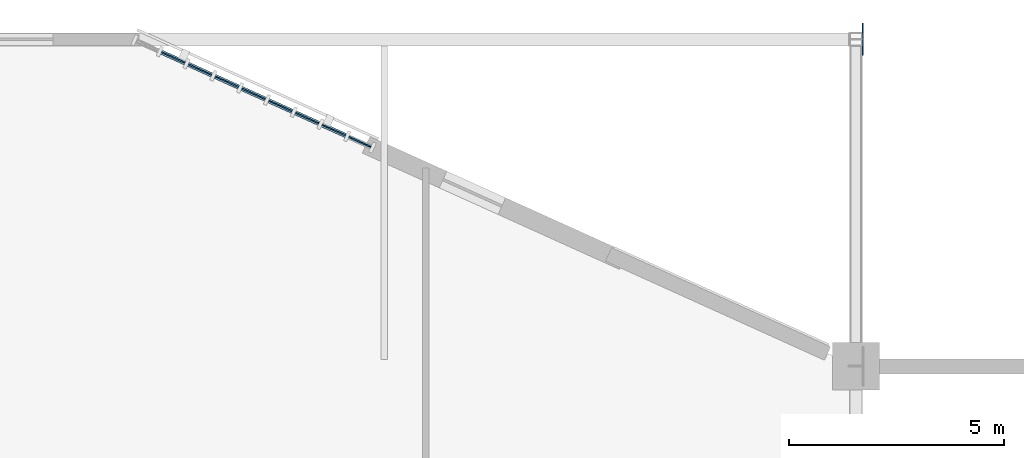
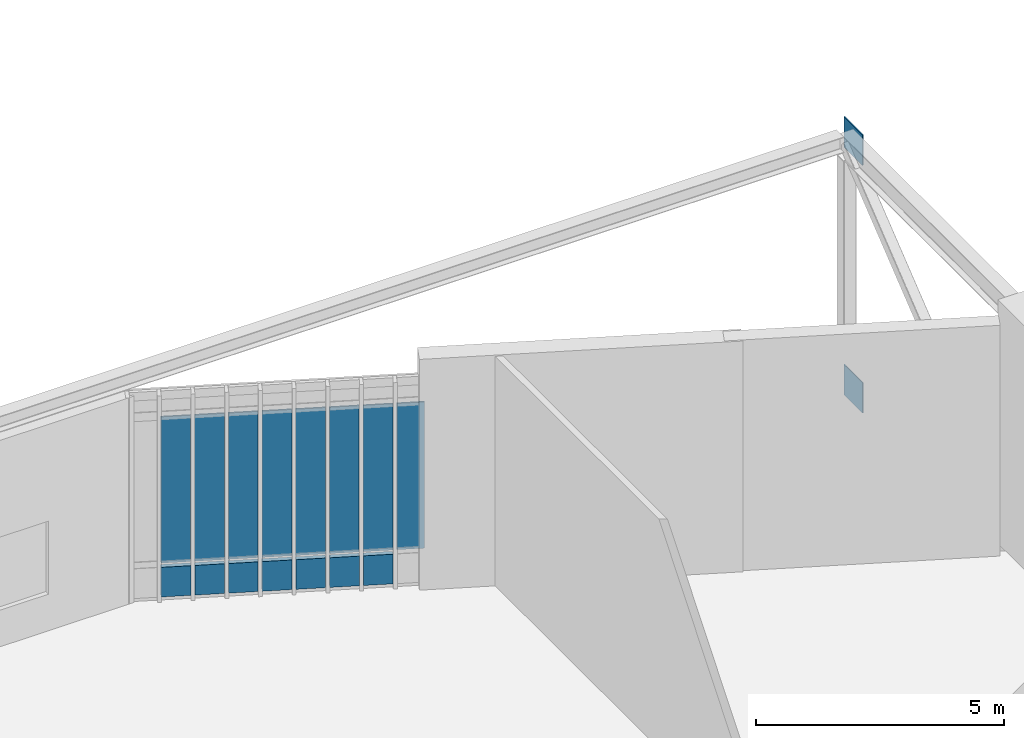
# One storey, part 79 of 135: 17 plates, 1 element without a shape of its own.
"""IFC4 building model written with IfcOpenShell, lengths in metres."""

from ifc_helpers import new_model, si_unit, direction, frame, origin, origin_2d, place, context, subcontext, project, spatial, rectangle, extrude, material, layer, layer_set, type_object, element, aggregate, save


model = new_model("IFC4")

# Units and contexts
model_context = context("Model", 3, precision=1e-05, world=origin(), true_north=direction((0.0, 1.0)))
body_context = subcontext(model_context, "Body", "Model", "MODEL_VIEW")
ifc_project = project(units=[si_unit("LENGTHUNIT", "METRE"), si_unit("AREAUNIT", "SQUARE_METRE"), si_unit("VOLUMEUNIT", "CUBIC_METRE"), si_unit("PLANEANGLEUNIT", "RADIAN"), si_unit("MASSUNIT", "GRAM", prefix="KILO")], contexts=[model_context])

# Site, building, storey
site_placement = place(None, origin())
site = spatial("IfcSite", under=ifc_project, at=site_placement, CompositionType="ELEMENT")
building_placement = place(site_placement, origin())
building = spatial("IfcBuilding", under=site, at=building_placement, Name="Larkvane Passage Sports Hall", CompositionType="ELEMENT")
storey_placement = place(building_placement, frame((0.0, 0.0, 10.800048828125)))
storey = spatial("IfcBuildingStorey", under=building, at=storey_placement, Name="L02", CompositionType="ELEMENT", Elevation=10.800048828125)

# Curtain wall, plates
ifc_material_1 = material(Name="Thermally broken aluminium and low-E glazing", Category="aluminium")
curtain_wall_type = type_object("IfcCurtainWallType", Name="CW-STICK-FOYER", PredefinedType="USERDEFINED", material=ifc_material_1)
curtain_wall_placement = place(storey_placement, origin())
curtain_wall = element("IfcCurtainWall", 1, at=curtain_wall_placement, inside=storey, type_object=curtain_wall_type, Name="Curtain wall CW5-L02-078", ObjectType="STICK CURTAIN WALL", PredefinedType="USERDEFINED")
ifc_material_2 = material(Name="Fire-stopped shadow-box spandrel panel")
ifc_layer_1 = layer(ifc_material_2, 0.10498046875)
ifc_layer_set_1 = layer_set([ifc_layer_1], Name="Fire-stopped shadow-box spandrel panel")
plate_type_1 = type_object("IfcPlateType", Name="CWP-SPD-105", PredefinedType="CURTAIN_PANEL", material=ifc_layer_set_1)
plate_1_placement = place(storey_placement, frame((77.7333984375, 106.377685546875, 0.080078125), z_axis=(0.0, 0.0, 1.0), x_axis=(0.911109959422, -0.412163367903, 0.0)))
plate_1 = element("IfcPlate", 2, at=plate_1_placement, type_object=plate_type_1, Name="CW-03 panel 2.1", PredefinedType="CURTAIN_PANEL", context=body_context, shape_type="SweptSolid", body=[
    extrude(rectangle(XDim=0.60302734375, YDim=0.10498046875, at=origin_2d()), origin(), (0.0, 0.0, 1.0), 0.72998046875),
])
plate_2_placement = place(storey_placement, frame((78.35546875, 106.09619140625, 0.080078125), z_axis=(0.0, 0.0, 1.0), x_axis=(0.911109959422, -0.412163367903, 0.0)))
plate_2 = element("IfcPlate", 3, at=plate_2_placement, type_object=plate_type_1, Name="CW-03 panel 3.1", PredefinedType="CURTAIN_PANEL", context=body_context, shape_type="SweptSolid", body=[
    extrude(rectangle(XDim=0.60302734375, YDim=0.10498046875, at=origin_2d()), origin(), (0.0, 0.0, 1.0), 0.72998046875),
])
plate_3_placement = place(storey_placement, frame((78.977783203125, 105.81494140625, 0.080078125), z_axis=(0.0, 0.0, 1.0), x_axis=(0.911109959422, -0.412163367903, 0.0)))
plate_3 = element("IfcPlate", 4, at=plate_3_placement, type_object=plate_type_1, Name="CW-03 panel 4.1", PredefinedType="CURTAIN_PANEL", context=body_context, shape_type="SweptSolid", body=[
    extrude(rectangle(XDim=0.60302734375, YDim=0.10498046875, at=origin_2d()), origin(), (0.0, 0.0, 1.0), 0.72998046875),
])
plate_4_placement = place(storey_placement, frame((79.60009765625, 105.533447265625, 0.080078125), z_axis=(0.0, 0.0, 1.0), x_axis=(0.911109959422, -0.412163367903, 0.0)))
plate_4 = element("IfcPlate", 5, at=plate_4_placement, type_object=plate_type_1, Name="CW-03 panel 5.1", PredefinedType="CURTAIN_PANEL", context=body_context, shape_type="SweptSolid", body=[
    extrude(rectangle(XDim=0.60302734375, YDim=0.10498046875, at=origin_2d()), origin(), (0.0, 0.0, 1.0), 0.72998046875),
])
plate_5_placement = place(storey_placement, frame((80.22216796875, 105.251953125, 0.080078125), z_axis=(0.0, 0.0, 1.0), x_axis=(0.911109959422, -0.412163367903, 0.0)))
plate_5 = element("IfcPlate", 6, at=plate_5_placement, type_object=plate_type_1, Name="CW-03 panel 6.1", PredefinedType="CURTAIN_PANEL", context=body_context, shape_type="SweptSolid", body=[
    extrude(rectangle(XDim=0.60302734375, YDim=0.10498046875, at=origin_2d()), origin(), (0.0, 0.0, 1.0), 0.72998046875),
])
plate_6_placement = place(storey_placement, frame((80.844482421875, 104.970458984375, 0.080078125), z_axis=(0.0, 0.0, 1.0), x_axis=(0.911109959422, -0.412163367903, 0.0)))
plate_6 = element("IfcPlate", 7, at=plate_6_placement, type_object=plate_type_1, Name="CW-03 panel 7.1", PredefinedType="CURTAIN_PANEL", context=body_context, shape_type="SweptSolid", body=[
    extrude(rectangle(XDim=0.60302734375, YDim=0.10498046875, at=origin_2d()), origin(), (0.0, 0.0, 1.0), 0.72998046875),
])
plate_7_placement = place(storey_placement, frame((81.466552734375, 104.68896484375, 0.080078125), z_axis=(0.0, 0.0, 1.0), x_axis=(0.911109959422, -0.412163367903, 0.0)))
plate_7 = element("IfcPlate", 8, at=plate_7_placement, type_object=plate_type_1, Name="CW-03 panel 8.1", PredefinedType="CURTAIN_PANEL", context=body_context, shape_type="SweptSolid", body=[
    extrude(rectangle(XDim=0.60302734375, YDim=0.10498046875, at=origin_2d()), origin(), (0.0, 0.0, 1.0), 0.72998046875),
])
ifc_material_3 = material(Name="High-impact court low-E glazing", Category="glass")
ifc_layer_2 = layer(ifc_material_3, 0.035888671875)
ifc_layer_set_2 = layer_set([ifc_layer_2], Name="High-impact court low-E glazing")
plate_type_2 = type_object("IfcPlateType", Name="CWP-VIS-36", PredefinedType="CURTAIN_PANEL", material=ifc_layer_set_2)
plate_8_placement = place(storey_placement, frame((77.7333984375, 106.377685546875, 0.889892578125), z_axis=(0.0, 0.0, 1.0), x_axis=(0.911109959422, -0.412163367903, 0.0)))
plate_8 = element("IfcPlate", 9, at=plate_8_placement, type_object=plate_type_2, Name="CW-03 panel 2.2", PredefinedType="CURTAIN_PANEL", context=body_context, shape_type="SweptSolid", body=[
    extrude(rectangle(XDim=0.60302734375, YDim=0.035888671875, at=origin_2d()), origin(), (0.0, 0.0, 1.0), 3.60009765625),
])
plate_9_placement = place(storey_placement, frame((78.35546875, 106.09619140625, 0.889892578125), z_axis=(0.0, 0.0, 1.0), x_axis=(0.911109959422, -0.412163367903, 0.0)))
plate_9 = element("IfcPlate", 10, at=plate_9_placement, type_object=plate_type_2, Name="CW-03 panel 3.2", PredefinedType="CURTAIN_PANEL", context=body_context, shape_type="SweptSolid", body=[
    extrude(rectangle(XDim=0.60302734375, YDim=0.035888671875, at=origin_2d()), origin(), (0.0, 0.0, 1.0), 3.60009765625),
])
plate_10_placement = place(storey_placement, frame((78.977783203125, 105.81494140625, 0.889892578125), z_axis=(0.0, 0.0, 1.0), x_axis=(0.911109959422, -0.412163367903, 0.0)))
plate_10 = element("IfcPlate", 11, at=plate_10_placement, type_object=plate_type_2, Name="CW-03 panel 4.2", PredefinedType="CURTAIN_PANEL", context=body_context, shape_type="SweptSolid", body=[
    extrude(rectangle(XDim=0.60302734375, YDim=0.035888671875, at=origin_2d()), origin(), (0.0, 0.0, 1.0), 3.60009765625),
])
plate_11_placement = place(storey_placement, frame((79.60009765625, 105.533447265625, 0.889892578125), z_axis=(0.0, 0.0, 1.0), x_axis=(0.911109959422, -0.412163367903, 0.0)))
plate_11 = element("IfcPlate", 12, at=plate_11_placement, type_object=plate_type_2, Name="CW-03 panel 5.2", PredefinedType="CURTAIN_PANEL", context=body_context, shape_type="SweptSolid", body=[
    extrude(rectangle(XDim=0.60302734375, YDim=0.035888671875, at=origin_2d()), origin(), (0.0, 0.0, 1.0), 3.60009765625),
])
plate_12_placement = place(storey_placement, frame((80.22216796875, 105.251953125, 0.889892578125), z_axis=(0.0, 0.0, 1.0), x_axis=(0.911109959422, -0.412163367903, 0.0)))
plate_12 = element("IfcPlate", 13, at=plate_12_placement, type_object=plate_type_2, Name="CW-03 panel 6.2", PredefinedType="CURTAIN_PANEL", context=body_context, shape_type="SweptSolid", body=[
    extrude(rectangle(XDim=0.60302734375, YDim=0.035888671875, at=origin_2d()), origin(), (0.0, 0.0, 1.0), 3.60009765625),
])
plate_13_placement = place(storey_placement, frame((80.844482421875, 104.970458984375, 0.889892578125), z_axis=(0.0, 0.0, 1.0), x_axis=(0.911109959422, -0.412163367903, 0.0)))
plate_13 = element("IfcPlate", 14, at=plate_13_placement, type_object=plate_type_2, Name="CW-03 panel 7.2", PredefinedType="CURTAIN_PANEL", context=body_context, shape_type="SweptSolid", body=[
    extrude(rectangle(XDim=0.60302734375, YDim=0.035888671875, at=origin_2d()), origin(), (0.0, 0.0, 1.0), 3.60009765625),
])
plate_14_placement = place(storey_placement, frame((81.466552734375, 104.68896484375, 0.889892578125), z_axis=(0.0, 0.0, 1.0), x_axis=(0.911109959422, -0.412163367903, 0.0)))
plate_14 = element("IfcPlate", 15, at=plate_14_placement, type_object=plate_type_2, Name="CW-03 panel 8.2", PredefinedType="CURTAIN_PANEL", context=body_context, shape_type="SweptSolid", body=[
    extrude(rectangle(XDim=0.60302734375, YDim=0.035888671875, at=origin_2d()), origin(), (0.0, 0.0, 1.0), 3.60009765625),
])
plate_15_placement = place(storey_placement, frame((82.070556640625, 104.415771484375, 0.889892578125), z_axis=(0.0, 0.0, 1.0), x_axis=(0.911109959422, -0.412163367903, 0.0)))
plate_15 = element("IfcPlate", 16, at=plate_15_placement, type_object=plate_type_2, Name="CW-03 panel 9.2", PredefinedType="CURTAIN_PANEL", context=body_context, shape_type="SweptSolid", body=[
    extrude(rectangle(XDim=0.56298828125, YDim=0.035888671875, at=origin_2d()), origin(), (0.0, 0.0, 1.0), 3.60009765625),
])
aggregate(curtain_wall, [plate_1, plate_8, plate_2, plate_9, plate_3, plate_10, plate_4, plate_11, plate_5, plate_12, plate_6, plate_13, plate_7, plate_14, plate_15])

# Plates
ifc_material_4 = material(Name="Steel S460N", Category="steel")
ifc_layer_3 = layer(ifc_material_4, 0.02392578125)
ifc_layer_set_3 = layer_set([ifc_layer_3], Name="Steel S460N")
plate_type_3 = type_object("IfcPlateType", Name="PLT-GUS-24", PredefinedType="USERDEFINED", material=ifc_layer_set_3)
for number, where, z_axis, x_axis, name in (
    (17, (93.761962890625, 106.800048828125, -1.089111328125), (0.0, 0.0, 1.0), (0.0, 1.0, 0.0), "Truss node gusset plate ND-4B (CT-N2A-2)"),
    (18, (93.761962890625, 106.800048828125, 5.010986328125), (0.0, 0.0, 1.0), (0.0, 1.0, 0.0), "Truss node gusset plate ND-4T (CT-N2A-2)"),
):
    element("IfcPlate", number, at=place(storey_placement, frame(where, z_axis=z_axis, x_axis=x_axis)), inside=storey, type_object=plate_type_3, Name=name, ObjectType="GUSSET PLATE", PredefinedType="USERDEFINED", context=body_context, shape_type="SweptSolid", body=[
        extrude(rectangle(XDim=0.75, YDim=0.02392578125, at=origin_2d()), origin(), (0.0, 0.0, 1.0), 0.75),
    ])

save(model, "model.ifc")
